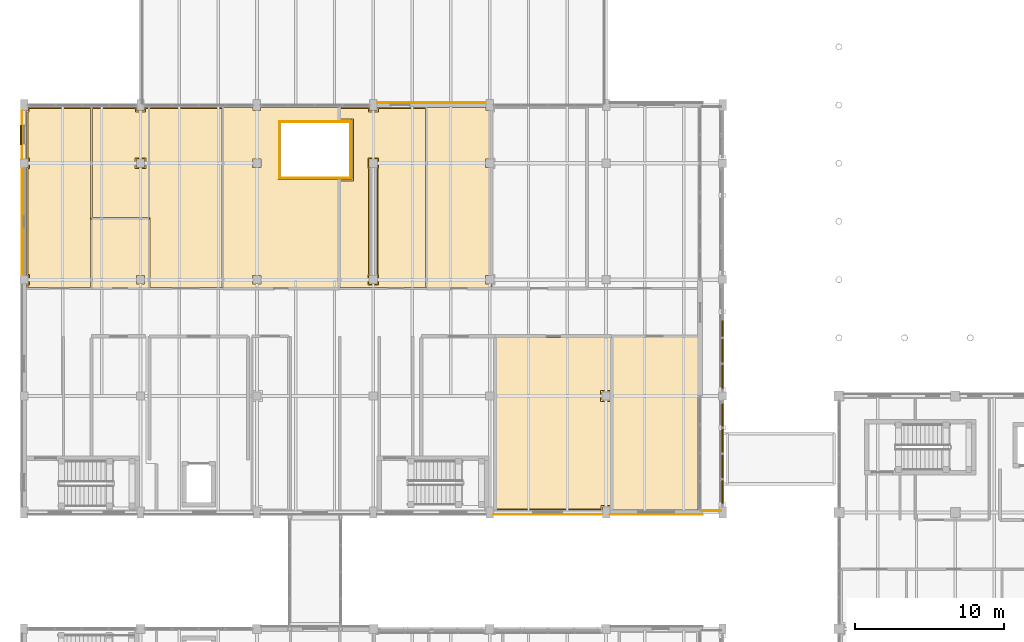
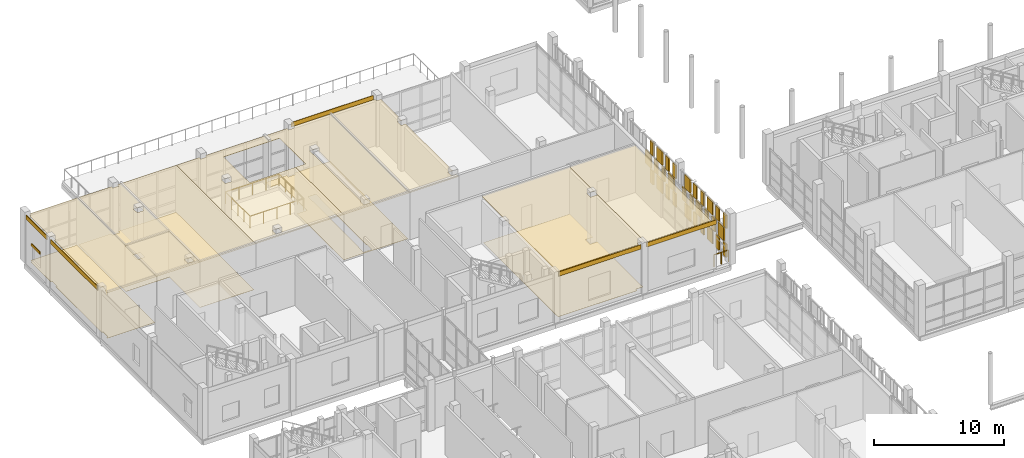
# One storey, part 123 of 138: 47 coverings, 5 railings, 1 shading device.
"""IFC4 building model written with IfcOpenShell, lengths in metres."""

from ifc_helpers import new_model, si_unit, direction, frame, origin, origin_2d, place, context, subcontext, project, spatial, polyline, rectangle, circle, outline, extrude, material, layer, layer_set, type_object, element, save


model = new_model("IFC4")

# Units and contexts
model_context = context("Model", 3, precision=1e-05, world=origin(), true_north=direction((0.0, 1.0)))
body_context = subcontext(model_context, "Body", "Model", "MODEL_VIEW")
ifc_project = project(units=[si_unit("LENGTHUNIT", "METRE"), si_unit("AREAUNIT", "SQUARE_METRE"), si_unit("VOLUMEUNIT", "CUBIC_METRE"), si_unit("PLANEANGLEUNIT", "RADIAN"), si_unit("MASSUNIT", "GRAM", prefix="KILO")], contexts=[model_context])

# Site, building, storey
site_placement = place(None, origin())
site = spatial("IfcSite", under=ifc_project, at=site_placement, CompositionType="ELEMENT")
building_placement = place(site_placement, origin())
building = spatial("IfcBuilding", under=site, at=building_placement, Name="Celorna Specialist Clinic", CompositionType="ELEMENT")
storey_placement = place(building_placement, frame((0.0, 0.0, 4.800048828125)))
storey = spatial("IfcBuildingStorey", under=building, at=storey_placement, Name="L01", CompositionType="ELEMENT", Elevation=4.800048828125)

# Railings
ifc_material_1 = material(Name="Stainless steel and laminated glass balustrade", Category="steel")
railing_type = type_object("IfcRailingType", Name="BL-01", PredefinedType="BALUSTRADE", material=ifc_material_1)
railing_1_placement = place(storey_placement, frame((46.679931640625, 35.219970703125, 0.0)))
element("IfcRailing", 1, at=railing_1_placement, inside=storey, type_object=railing_type, Name="Imaging Cloister Veranda perimeter balustrade 4", PredefinedType="BALUSTRADE", context=body_context, shape_type="SweptSolid", body=[
    extrude(circle(Radius=0.02392578125, at=origin_2d()), frame((0.0, 0.0, 1.09619140625), z_axis=(-1.0, 0.0, 0.0), x_axis=(0.0, -1.0, 0.0)), (0.0, 0.0, 1.0), 1.260009765625),
    extrude(circle(Radius=0.02099609375, at=origin_2d()), origin(), (0.0, 0.0, 1.0), 1.072021484375),
    extrude(circle(Radius=0.02099609375, at=origin_2d()), frame((-0.6298828125, 0.0, 0.0)), (0.0, 0.0, 1.0), 1.072021484375),
    extrude(circle(Radius=0.02099609375, at=origin_2d()), frame((-1.260009765625, 0.0, 0.0)), (0.0, 0.0, 1.0), 1.072021484375),
])
railing_2_placement = place(storey_placement, frame((17.1201171875, 57.52001953125, 0.0)))
element("IfcRailing", 2, at=railing_2_placement, inside=storey, type_object=railing_type, Name="Clinical lightwell balustrade L01 #4-1", PredefinedType="BALUSTRADE", context=body_context, shape_type="SweptSolid", body=[
    extrude(circle(Radius=0.02392578125, at=origin_2d()), frame((0.0, 0.0, 1.09619140625), z_axis=(1.0, 0.0, 0.0), x_axis=(0.0, 1.0, 0.0)), (0.0, 0.0, 1.0), 4.759765625),
    extrude(circle(Radius=0.02099609375, at=origin_2d()), origin(), (0.0, 0.0, 1.0), 1.072021484375),
    extrude(circle(Radius=0.02099609375, at=origin_2d()), frame((1.18994140625, 0.0, 0.0)), (0.0, 0.0, 1.0), 1.072021484375),
    extrude(circle(Radius=0.02099609375, at=origin_2d()), frame((2.3798828125, 0.0, 0.0)), (0.0, 0.0, 1.0), 1.072021484375),
    extrude(circle(Radius=0.02099609375, at=origin_2d()), frame((3.56982421875, 0.0, 0.0)), (0.0, 0.0, 1.0), 1.072021484375),
    extrude(circle(Radius=0.02099609375, at=origin_2d()), frame((4.759765625, 0.0, 0.0)), (0.0, 0.0, 1.0), 1.072021484375),
])
railing_3_placement = place(storey_placement, frame((21.8798828125, 57.52001953125, 0.0)))
element("IfcRailing", 3, at=railing_3_placement, inside=storey, type_object=railing_type, Name="Clinical lightwell balustrade L01 #4-2", PredefinedType="BALUSTRADE", context=body_context, shape_type="SweptSolid", body=[
    extrude(circle(Radius=0.02392578125, at=origin_2d()), frame((0.0, 0.0, 1.09619140625), z_axis=(0.0, 1.0, 0.0), x_axis=(-1.0, 0.0, 0.0)), (0.0, 0.0, 1.0), 3.760009765625),
    extrude(circle(Radius=0.02099609375, at=origin_2d()), origin(), (0.0, 0.0, 1.0), 1.072021484375),
    extrude(circle(Radius=0.02099609375, at=origin_2d()), frame((0.0, 0.93994140625, 0.0)), (0.0, 0.0, 1.0), 1.072021484375),
    extrude(circle(Radius=0.02099609375, at=origin_2d()), frame((0.0, 1.8798828125, 0.0)), (0.0, 0.0, 1.0), 1.072021484375),
    extrude(circle(Radius=0.02099609375, at=origin_2d()), frame((0.0, 2.820068359375, 0.0)), (0.0, 0.0, 1.0), 1.072021484375),
    extrude(circle(Radius=0.02099609375, at=origin_2d()), frame((0.0, 3.760009765625, 0.0)), (0.0, 0.0, 1.0), 1.072021484375),
])
railing_4_placement = place(storey_placement, frame((21.8798828125, 61.280029296875, 0.0)))
element("IfcRailing", 4, at=railing_4_placement, inside=storey, type_object=railing_type, Name="Clinical lightwell balustrade L01 #4-3", PredefinedType="BALUSTRADE", context=body_context, shape_type="SweptSolid", body=[
    extrude(circle(Radius=0.02392578125, at=origin_2d()), frame((0.0, 0.0, 1.09619140625), z_axis=(-1.0, 0.0, 0.0), x_axis=(0.0, -1.0, 0.0)), (0.0, 0.0, 1.0), 4.759765625),
    extrude(circle(Radius=0.02099609375, at=origin_2d()), origin(), (0.0, 0.0, 1.0), 1.072021484375),
    extrude(circle(Radius=0.02099609375, at=origin_2d()), frame((-1.18994140625, 0.0, 0.0)), (0.0, 0.0, 1.0), 1.072021484375),
    extrude(circle(Radius=0.02099609375, at=origin_2d()), frame((-2.3798828125, 0.0, 0.0)), (0.0, 0.0, 1.0), 1.072021484375),
    extrude(circle(Radius=0.02099609375, at=origin_2d()), frame((-3.56982421875, 0.0, 0.0)), (0.0, 0.0, 1.0), 1.072021484375),
    extrude(circle(Radius=0.02099609375, at=origin_2d()), frame((-4.759765625, 0.0, 0.0)), (0.0, 0.0, 1.0), 1.072021484375),
])
railing_5_placement = place(storey_placement, frame((17.1201171875, 61.280029296875, 0.0)))
element("IfcRailing", 5, at=railing_5_placement, inside=storey, type_object=railing_type, Name="Clinical lightwell balustrade L01 #4-4", PredefinedType="BALUSTRADE", context=body_context, shape_type="SweptSolid", body=[
    extrude(circle(Radius=0.02392578125, at=origin_2d()), frame((0.0, 0.0, 1.09619140625), z_axis=(0.0, -1.0, 0.0), x_axis=(1.0, 0.0, 0.0)), (0.0, 0.0, 1.0), 3.760009765625),
    extrude(circle(Radius=0.02099609375, at=origin_2d()), origin(), (0.0, 0.0, 1.0), 1.072021484375),
    extrude(circle(Radius=0.02099609375, at=origin_2d()), frame((0.0, -0.93994140625, 0.0)), (0.0, 0.0, 1.0), 1.072021484375),
    extrude(circle(Radius=0.02099609375, at=origin_2d()), frame((0.0, -1.8798828125, 0.0)), (0.0, 0.0, 1.0), 1.072021484375),
    extrude(circle(Radius=0.02099609375, at=origin_2d()), frame((0.0, -2.820068359375, 0.0)), (0.0, 0.0, 1.0), 1.072021484375),
    extrude(circle(Radius=0.02099609375, at=origin_2d()), frame((0.0, -3.760009765625, 0.0)), (0.0, 0.0, 1.0), 1.072021484375),
])

# Coverings
ifc_material_2 = material(Name="Hygienic acoustic mineral-fibre ceiling")
ifc_layer_1 = layer(ifc_material_2, 0.030029296875, Name="Hygienic acoustic mineral-fibre ceiling")
ifc_layer_set_1 = layer_set([ifc_layer_1], Name="Hygienic acoustic mineral-fibre ceiling")
covering_type_1 = type_object("IfcCoveringType", Name="CE-01", PredefinedType="CEILING", material=ifc_layer_set_1)
covering_1_placement = place(storey_placement, frame((0.0, 0.0, 4.329833984375)))
element("IfcCovering", 6, at=covering_1_placement, inside=storey, type_object=covering_type_1, Name="Acoustic ceiling L01-027", PredefinedType="CEILING", context=body_context, shape_type="SweptSolid", body=[
    extrude(outline(polyline([(39.385009765625, 46.9150390625), (39.385009765625, 43.169921875), (39.280029296875, 43.169921875), (39.280029296875, 43.179931640625), (38.719970703125, 43.179931640625), (38.719970703125, 42.6201171875), (39.280029296875, 42.6201171875), (39.280029296875, 42.6298828125), (39.385009765625, 42.6298828125), (39.385009765625, 35.469970703125), (39.2548828125, 35.469970703125), (39.2548828125, 35.47998046875), (38.7451171875, 35.47998046875), (38.7451171875, 35.2548828125), (31.554931640625, 35.2548828125), (31.554931640625, 46.9150390625), (39.385009765625, 46.9150390625)])), origin(), (0.0, 0.0, 1.0), 0.030029296875),
])
covering_2_placement = place(storey_placement, frame((0.0, 0.0, 4.329833984375)))
element("IfcCovering", 7, at=covering_2_placement, inside=storey, type_object=covering_type_1, Name="Acoustic ceiling L01-028", PredefinedType="CEILING", context=body_context, shape_type="SweptSolid", body=[
    extrude(outline(polyline([(45.14501953125, 46.9150390625), (45.14501953125, 35.2548828125), (39.35498046875, 35.2548828125), (39.35498046875, 46.9150390625), (45.14501953125, 46.9150390625)])), origin(), (0.0, 0.0, 1.0), 0.030029296875),
])
covering_3_placement = place(storey_placement, frame((0.0, 0.0, 4.329833984375)))
element("IfcCovering", 8, at=covering_3_placement, inside=storey, type_object=covering_type_1, Name="Acoustic ceiling L01-029", PredefinedType="CEILING", context=body_context, shape_type="SweptSolid", body=[
    extrude(outline(polyline([(0.155029296875, 58.219970703125), (0.280029296875, 58.219970703125), (0.280029296875, 58.780029296875), (0.155029296875, 58.780029296875), (0.155029296875, 62.02001953125), (0.2548828125, 62.02001953125), (0.2548828125, 62.2451171875), (4.534912109375, 62.2451171875), (4.534912109375, 50.0849609375), (0.155029296875, 50.0849609375), (0.155029296875, 50.419921875), (0.280029296875, 50.419921875), (0.280029296875, 50.97998046875), (0.155029296875, 50.97998046875), (0.155029296875, 58.219970703125)])), origin(), (0.0, 0.0, 1.0), 0.030029296875),
])
covering_4_placement = place(storey_placement, frame((0.0, 0.0, 4.329833984375)))
element("IfcCovering", 9, at=covering_4_placement, inside=storey, type_object=covering_type_1, Name="Acoustic ceiling L01-030", PredefinedType="CEILING", context=body_context, shape_type="SweptSolid", body=[
    extrude(outline(polyline([(8.385009765625, 54.81494140625), (8.385009765625, 50.0849609375), (4.5048828125, 50.0849609375), (4.5048828125, 54.81494140625), (8.385009765625, 54.81494140625)]), holes=[polyline([(8.080078125, 50.419921875), (8.080078125, 50.97998046875), (7.52001953125, 50.97998046875), (7.52001953125, 50.419921875), (8.080078125, 50.419921875)])]), origin(), (0.0, 0.0, 1.0), 0.030029296875),
])
covering_5_placement = place(storey_placement, frame((0.0, 0.0, 4.329833984375)))
element("IfcCovering", 10, at=covering_5_placement, inside=storey, type_object=covering_type_1, Name="Acoustic ceiling L01-031", PredefinedType="CEILING", context=body_context, shape_type="SweptSolid", body=[
    extrude(outline(polyline([(8.35498046875, 54.784912109375), (4.5048828125, 54.784912109375), (4.5048828125, 62.2451171875), (7.544921875, 62.2451171875), (7.544921875, 62.02001953125), (8.054931640625, 62.02001953125), (8.054931640625, 62.2451171875), (13.3349609375, 62.2451171875), (13.3349609375, 50.0849609375), (8.35498046875, 50.0849609375), (8.35498046875, 54.784912109375)]), holes=[polyline([(8.080078125, 58.780029296875), (7.52001953125, 58.780029296875), (7.52001953125, 58.219970703125), (8.080078125, 58.219970703125), (8.080078125, 58.780029296875)])]), origin(), (0.0, 0.0, 1.0), 0.030029296875),
])
covering_6_placement = place(storey_placement, frame((0.0, 0.0, 4.329833984375)))
element("IfcCovering", 11, at=covering_6_placement, inside=storey, type_object=covering_type_1, Name="Acoustic ceiling L01-032", PredefinedType="CEILING", context=body_context, shape_type="SweptSolid", body=[
    extrude(outline(polyline([(13.304931640625, 62.2451171875), (15.344970703125, 62.2451171875), (15.344970703125, 62.02001953125), (15.85498046875, 62.02001953125), (15.85498046875, 62.2451171875), (21.135009765625, 62.2451171875), (21.135009765625, 61.385009765625), (17.014892578125, 61.385009765625), (17.014892578125, 57.4150390625), (21.135009765625, 57.4150390625), (21.135009765625, 50.0849609375), (13.304931640625, 50.0849609375), (13.304931640625, 62.2451171875)]), holes=[polyline([(15.8798828125, 50.97998046875), (15.320068359375, 50.97998046875), (15.320068359375, 50.419921875), (15.8798828125, 50.419921875), (15.8798828125, 50.97998046875)]), polyline([(15.8798828125, 58.219970703125), (15.8798828125, 58.780029296875), (15.320068359375, 58.780029296875), (15.320068359375, 58.219970703125), (15.8798828125, 58.219970703125)])]), origin(), (0.0, 0.0, 1.0), 0.030029296875),
])
covering_7_placement = place(storey_placement, frame((0.0, 0.0, 4.329833984375)))
element("IfcCovering", 12, at=covering_7_placement, inside=storey, type_object=covering_type_1, Name="Acoustic ceiling L01-033", PredefinedType="CEILING", context=body_context, shape_type="SweptSolid", body=[
    extrude(outline(polyline([(26.985107421875, 62.2451171875), (26.985107421875, 50.0849609375), (21.10498046875, 50.0849609375), (21.10498046875, 57.4150390625), (21.985107421875, 57.4150390625), (21.985107421875, 61.385009765625), (21.10498046875, 61.385009765625), (21.10498046875, 62.2451171875), (23.14501953125, 62.2451171875), (23.14501953125, 62.02001953125), (23.655029296875, 62.02001953125), (23.655029296875, 62.2451171875), (26.985107421875, 62.2451171875)]), holes=[polyline([(23.635009765625, 58.219970703125), (23.679931640625, 58.219970703125), (23.679931640625, 58.780029296875), (23.1201171875, 58.780029296875), (23.1201171875, 58.219970703125), (23.1650390625, 58.219970703125), (23.1650390625, 50.97998046875), (23.1201171875, 50.97998046875), (23.1201171875, 50.419921875), (23.679931640625, 50.419921875), (23.679931640625, 50.97998046875), (23.635009765625, 50.97998046875), (23.635009765625, 58.219970703125)])]), origin(), (0.0, 0.0, 1.0), 0.030029296875),
])
covering_8_placement = place(storey_placement, frame((0.0, 0.0, 4.329833984375)))
element("IfcCovering", 13, at=covering_8_placement, inside=storey, type_object=covering_type_1, Name="Acoustic ceiling L01-034", PredefinedType="CEILING", context=body_context, shape_type="SweptSolid", body=[
    extrude(outline(polyline([(30.945068359375, 62.2451171875), (30.945068359375, 62.02001953125), (31.3349609375, 62.02001953125), (31.3349609375, 58.780029296875), (30.919921875, 58.780029296875), (30.919921875, 58.219970703125), (31.3349609375, 58.219970703125), (31.3349609375, 50.97998046875), (30.919921875, 50.97998046875), (30.919921875, 50.419921875), (31.3349609375, 50.419921875), (31.3349609375, 50.0849609375), (26.955078125, 50.0849609375), (26.955078125, 62.2451171875), (30.945068359375, 62.2451171875)])), origin(), (0.0, 0.0, 1.0), 0.030029296875),
])
ifc_material_3 = material(Name="Pero Pinheiro Lioz limestone rainscreen cladding", Category="masonry")
ifc_layer_2 = layer(ifc_material_3, 0.044921875, Name="Pero Pinheiro Lioz limestone rainscreen cladding")
ifc_layer_set_2 = layer_set([ifc_layer_2], Name="Pero Pinheiro Lioz limestone rainscreen cladding")
covering_type_2 = type_object("IfcCoveringType", Name="CL-01", PredefinedType="CLADDING", material=ifc_layer_set_2)
covering_9_placement = place(storey_placement, frame((35.10009765625, 34.952392578125, 4.139892578125), z_axis=(0.0, 0.0, 1.0), x_axis=(-1.0, 0.0, 0.0)))
element("IfcCovering", 14, at=covering_9_placement, inside=storey, type_object=covering_type_2, Name="Lioz spandrel cladding #121", PredefinedType="CLADDING", context=body_context, shape_type="SweptSolid", body=[
    extrude(rectangle(XDim=7.300048828125, YDim=0.044921875, at=origin_2d()), origin(), (0.0, 0.0, 1.0), 0.39990234375),
])
covering_10_placement = place(storey_placement, frame((42.360107421875, 34.952392578125, 4.139892578125), z_axis=(0.0, 0.0, 1.0), x_axis=(-1.0, 0.0, 0.0)))
element("IfcCovering", 15, at=covering_10_placement, inside=storey, type_object=covering_type_2, Name="Lioz spandrel cladding #122", PredefinedType="CLADDING", context=body_context, shape_type="SweptSolid", body=[
    extrude(rectangle(XDim=6.219970703125, YDim=0.044921875, at=origin_2d()), origin(), (0.0, 0.0, 1.0), 0.39990234375),
])
covering_11_placement = place(storey_placement, frame((27.300048828125, 62.547607421875, 4.139892578125), z_axis=(0.0, 0.0, 1.0), x_axis=(1.0, 0.0, 0.0)))
element("IfcCovering", 16, at=covering_11_placement, inside=storey, type_object=covering_type_2, Name="Lioz spandrel cladding #123", PredefinedType="CLADDING", context=body_context, shape_type="SweptSolid", body=[
    extrude(rectangle(XDim=7.300048828125, YDim=0.044921875, at=origin_2d()), origin(), (0.0, 0.0, 1.0), 0.39990234375),
])
covering_12_placement = place(storey_placement, frame((-0.1474609375, 54.60009765625, 4.139892578125), z_axis=(0.0, 0.0, 1.0), x_axis=(0.0, 1.0, 0.0)))
element("IfcCovering", 17, at=covering_12_placement, inside=storey, type_object=covering_type_2, Name="Lioz spandrel cladding #127", PredefinedType="CLADDING", context=body_context, shape_type="SweptSolid", body=[
    extrude(rectangle(XDim=7.25, YDim=0.044921875, at=origin_2d()), origin(), (0.0, 0.0, 1.0), 0.39990234375),
])
covering_13_placement = place(storey_placement, frame((-0.1474609375, 60.39990234375, 4.139892578125), z_axis=(0.0, 0.0, 1.0), x_axis=(0.0, 1.0, 0.0)))
element("IfcCovering", 18, at=covering_13_placement, inside=storey, type_object=covering_type_2, Name="Lioz spandrel cladding #128", PredefinedType="CLADDING", context=body_context, shape_type="SweptSolid", body=[
    extrude(rectangle(XDim=3.25, YDim=0.044921875, at=origin_2d()), origin(), (0.0, 0.0, 1.0), 0.39990234375),
])
ifc_material_4 = material(Name="Perforated terracotta brick weave cladding", Category="masonry")
ifc_layer_3 = layer(ifc_material_4, 0.114990234375, Name="Perforated terracotta brick weave cladding")
ifc_layer_set_3 = layer_set([ifc_layer_3], Name="Perforated terracotta brick weave cladding")
covering_type_3 = type_object("IfcCoveringType", Name="CL-02", PredefinedType="CLADDING", material=ifc_layer_set_3)
for number, where, z_axis, x_axis, name in (
    (19, (46.7900390625, 35.918701171875, 0.10009765625), (0.0, 0.0, 1.0), (0.0, 1.0, 0.0), "Woven perforated terracotta brick course #1256"),
    (20, (46.7900390625, 37.02880859375, 0.10009765625), (0.0, 0.0, 1.0), (0.0, 1.0, 0.0), "Woven perforated terracotta brick course #1257"),
):
    element("IfcCovering", number, at=place(storey_placement, frame(where, z_axis=z_axis, x_axis=x_axis)), inside=storey, type_object=covering_type_3, Name=name, PredefinedType="CLADDING", context=body_context, shape_type="SweptSolid", body=[
        extrude(rectangle(XDim=0.4873046875, YDim=0.114990234375, at=origin_2d()), origin(), (0.0, 0.0, 1.0), 1.24658203125),
    ])
covering_14_placement = place(storey_placement, frame((46.7900390625, 36.473876953125, 1.44677734375), z_axis=(0.0, 0.0, 1.0), x_axis=(0.0, 1.0, 0.0)))
element("IfcCovering", 21, at=covering_14_placement, inside=storey, type_object=covering_type_3, Name="Woven perforated terracotta brick course #1258", PredefinedType="CLADDING", context=body_context, shape_type="SweptSolid", body=[
    extrude(rectangle(XDim=0.862548828125, YDim=0.114990234375, at=origin_2d()), origin(), (0.0, 0.0, 1.0), 1.24658203125),
])
for number, where, z_axis, x_axis, name in (
    (22, (46.7900390625, 35.918701171875, 2.793212890625), (0.0, 0.0, 1.0), (0.0, 1.0, 0.0), "Woven perforated terracotta brick course #1259"),
    (23, (46.7900390625, 37.02880859375, 2.793212890625), (0.0, 0.0, 1.0), (0.0, 1.0, 0.0), "Woven perforated terracotta brick course #1260"),
):
    element("IfcCovering", number, at=place(storey_placement, frame(where, z_axis=z_axis, x_axis=x_axis)), inside=storey, type_object=covering_type_3, Name=name, PredefinedType="CLADDING", context=body_context, shape_type="SweptSolid", body=[
        extrude(rectangle(XDim=0.4873046875, YDim=0.114990234375, at=origin_2d()), origin(), (0.0, 0.0, 1.0), 1.24658203125),
    ])
covering_15_placement = place(storey_placement, frame((46.7900390625, 38.19140625, 0.10009765625), z_axis=(0.0, 0.0, 1.0), x_axis=(0.0, 1.0, 0.0)))
element("IfcCovering", 24, at=covering_15_placement, inside=storey, type_object=covering_type_3, Name="Woven perforated terracotta brick course #1261", PredefinedType="CLADDING", context=body_context, shape_type="SweptSolid", body=[
    extrude(rectangle(XDim=0.862548828125, YDim=0.114990234375, at=origin_2d()), origin(), (0.0, 0.0, 1.0), 1.24658203125),
])
for number, where, z_axis, x_axis, name in (
    (25, (46.7900390625, 37.635986328125, 1.44677734375), (0.0, 0.0, 1.0), (0.0, 1.0, 0.0), "Woven perforated terracotta brick course #1262"),
    (26, (46.7900390625, 38.746337890625, 1.44677734375), (0.0, 0.0, 1.0), (0.0, 1.0, 0.0), "Woven perforated terracotta brick course #1263"),
):
    element("IfcCovering", number, at=place(storey_placement, frame(where, z_axis=z_axis, x_axis=x_axis)), inside=storey, type_object=covering_type_3, Name=name, PredefinedType="CLADDING", context=body_context, shape_type="SweptSolid", body=[
        extrude(rectangle(XDim=0.4873046875, YDim=0.114990234375, at=origin_2d()), origin(), (0.0, 0.0, 1.0), 1.24658203125),
    ])
covering_16_placement = place(storey_placement, frame((46.7900390625, 38.19140625, 2.793212890625), z_axis=(0.0, 0.0, 1.0), x_axis=(0.0, 1.0, 0.0)))
element("IfcCovering", 27, at=covering_16_placement, inside=storey, type_object=covering_type_3, Name="Woven perforated terracotta brick course #1264", PredefinedType="CLADDING", context=body_context, shape_type="SweptSolid", body=[
    extrude(rectangle(XDim=0.862548828125, YDim=0.114990234375, at=origin_2d()), origin(), (0.0, 0.0, 1.0), 1.24658203125),
])
for number, where, z_axis, x_axis, name in (
    (28, (46.7900390625, 39.353515625, 0.10009765625), (0.0, 0.0, 1.0), (0.0, 1.0, 0.0), "Woven perforated terracotta brick course #1265"),
    (29, (46.7900390625, 40.4638671875, 0.10009765625), (0.0, 0.0, 1.0), (0.0, 1.0, 0.0), "Woven perforated terracotta brick course #1266"),
):
    element("IfcCovering", number, at=place(storey_placement, frame(where, z_axis=z_axis, x_axis=x_axis)), inside=storey, type_object=covering_type_3, Name=name, PredefinedType="CLADDING", context=body_context, shape_type="SweptSolid", body=[
        extrude(rectangle(XDim=0.4873046875, YDim=0.114990234375, at=origin_2d()), origin(), (0.0, 0.0, 1.0), 1.24658203125),
    ])
covering_17_placement = place(storey_placement, frame((46.7900390625, 39.90869140625, 1.44677734375), z_axis=(0.0, 0.0, 1.0), x_axis=(0.0, 1.0, 0.0)))
element("IfcCovering", 30, at=covering_17_placement, inside=storey, type_object=covering_type_3, Name="Woven perforated terracotta brick course #1267", PredefinedType="CLADDING", context=body_context, shape_type="SweptSolid", body=[
    extrude(rectangle(XDim=0.862548828125, YDim=0.114990234375, at=origin_2d()), origin(), (0.0, 0.0, 1.0), 1.24658203125),
])
for number, where, z_axis, x_axis, name in (
    (31, (46.7900390625, 39.353515625, 2.793212890625), (0.0, 0.0, 1.0), (0.0, 1.0, 0.0), "Woven perforated terracotta brick course #1268"),
    (32, (46.7900390625, 40.4638671875, 2.793212890625), (0.0, 0.0, 1.0), (0.0, 1.0, 0.0), "Woven perforated terracotta brick course #1269"),
):
    element("IfcCovering", number, at=place(storey_placement, frame(where, z_axis=z_axis, x_axis=x_axis)), inside=storey, type_object=covering_type_3, Name=name, PredefinedType="CLADDING", context=body_context, shape_type="SweptSolid", body=[
        extrude(rectangle(XDim=0.4873046875, YDim=0.114990234375, at=origin_2d()), origin(), (0.0, 0.0, 1.0), 1.24658203125),
    ])
covering_18_placement = place(storey_placement, frame((46.7900390625, 41.626220703125, 0.10009765625), z_axis=(0.0, 0.0, 1.0), x_axis=(0.0, 1.0, 0.0)))
element("IfcCovering", 33, at=covering_18_placement, inside=storey, type_object=covering_type_3, Name="Woven perforated terracotta brick course #1270", PredefinedType="CLADDING", context=body_context, shape_type="SweptSolid", body=[
    extrude(rectangle(XDim=0.862548828125, YDim=0.114990234375, at=origin_2d()), origin(), (0.0, 0.0, 1.0), 1.24658203125),
])
for number, where, z_axis, x_axis, name in (
    (34, (46.7900390625, 41.071044921875, 1.44677734375), (0.0, 0.0, 1.0), (0.0, 1.0, 0.0), "Woven perforated terracotta brick course #1271"),
    (35, (46.7900390625, 42.181396484375, 1.44677734375), (0.0, 0.0, 1.0), (0.0, 1.0, 0.0), "Woven perforated terracotta brick course #1272"),
):
    element("IfcCovering", number, at=place(storey_placement, frame(where, z_axis=z_axis, x_axis=x_axis)), inside=storey, type_object=covering_type_3, Name=name, PredefinedType="CLADDING", context=body_context, shape_type="SweptSolid", body=[
        extrude(rectangle(XDim=0.4873046875, YDim=0.114990234375, at=origin_2d()), origin(), (0.0, 0.0, 1.0), 1.24658203125),
    ])
covering_19_placement = place(storey_placement, frame((46.7900390625, 41.626220703125, 2.793212890625), z_axis=(0.0, 0.0, 1.0), x_axis=(0.0, 1.0, 0.0)))
element("IfcCovering", 36, at=covering_19_placement, inside=storey, type_object=covering_type_3, Name="Woven perforated terracotta brick course #1273", PredefinedType="CLADDING", context=body_context, shape_type="SweptSolid", body=[
    extrude(rectangle(XDim=0.862548828125, YDim=0.114990234375, at=origin_2d()), origin(), (0.0, 0.0, 1.0), 1.24658203125),
])
for number, where, z_axis, x_axis, name in (
    (37, (46.7900390625, 43.62255859375, 0.10009765625), (0.0, 0.0, 1.0), (0.0, 1.0, 0.0), "Woven perforated terracotta brick course #1274"),
    (38, (46.7900390625, 44.75, 0.10009765625), (0.0, 0.0, 1.0), (0.0, 1.0, 0.0), "Woven perforated terracotta brick course #1275"),
):
    element("IfcCovering", number, at=place(storey_placement, frame(where, z_axis=z_axis, x_axis=x_axis)), inside=storey, type_object=covering_type_3, Name=name, PredefinedType="CLADDING", context=body_context, shape_type="SweptSolid", body=[
        extrude(rectangle(XDim=0.494873046875, YDim=0.114990234375, at=origin_2d()), origin(), (0.0, 0.0, 1.0), 1.24658203125),
    ])
covering_20_placement = place(storey_placement, frame((46.7900390625, 44.186279296875, 1.44677734375), z_axis=(0.0, 0.0, 1.0), x_axis=(0.0, 1.0, 0.0)))
element("IfcCovering", 39, at=covering_20_placement, inside=storey, type_object=covering_type_3, Name="Woven perforated terracotta brick course #1276", PredefinedType="CLADDING", context=body_context, shape_type="SweptSolid", body=[
    extrude(rectangle(XDim=0.876220703125, YDim=0.114990234375, at=origin_2d()), origin(), (0.0, 0.0, 1.0), 1.24658203125),
])
for number, where, z_axis, x_axis, name in (
    (40, (46.7900390625, 43.62255859375, 2.793212890625), (0.0, 0.0, 1.0), (0.0, 1.0, 0.0), "Woven perforated terracotta brick course #1277"),
    (41, (46.7900390625, 44.75, 2.793212890625), (0.0, 0.0, 1.0), (0.0, 1.0, 0.0), "Woven perforated terracotta brick course #1278"),
):
    element("IfcCovering", number, at=place(storey_placement, frame(where, z_axis=z_axis, x_axis=x_axis)), inside=storey, type_object=covering_type_3, Name=name, PredefinedType="CLADDING", context=body_context, shape_type="SweptSolid", body=[
        extrude(rectangle(XDim=0.494873046875, YDim=0.114990234375, at=origin_2d()), origin(), (0.0, 0.0, 1.0), 1.24658203125),
    ])
covering_21_placement = place(storey_placement, frame((46.7900390625, 45.9287109375, 0.10009765625), z_axis=(0.0, 0.0, 1.0), x_axis=(0.0, 1.0, 0.0)))
element("IfcCovering", 42, at=covering_21_placement, inside=storey, type_object=covering_type_3, Name="Woven perforated terracotta brick course #1279", PredefinedType="CLADDING", context=body_context, shape_type="SweptSolid", body=[
    extrude(rectangle(XDim=0.876220703125, YDim=0.114990234375, at=origin_2d()), origin(), (0.0, 0.0, 1.0), 1.24658203125),
])
for number, where, z_axis, x_axis, name in (
    (43, (46.7900390625, 45.364990234375, 1.44677734375), (0.0, 0.0, 1.0), (0.0, 1.0, 0.0), "Woven perforated terracotta brick course #1280"),
    (44, (46.7900390625, 46.49267578125, 1.44677734375), (0.0, 0.0, 1.0), (0.0, 1.0, 0.0), "Woven perforated terracotta brick course #1281"),
):
    element("IfcCovering", number, at=place(storey_placement, frame(where, z_axis=z_axis, x_axis=x_axis)), inside=storey, type_object=covering_type_3, Name=name, PredefinedType="CLADDING", context=body_context, shape_type="SweptSolid", body=[
        extrude(rectangle(XDim=0.494873046875, YDim=0.114990234375, at=origin_2d()), origin(), (0.0, 0.0, 1.0), 1.24658203125),
    ])
covering_22_placement = place(storey_placement, frame((46.7900390625, 45.9287109375, 2.793212890625), z_axis=(0.0, 0.0, 1.0), x_axis=(0.0, 1.0, 0.0)))
element("IfcCovering", 45, at=covering_22_placement, inside=storey, type_object=covering_type_3, Name="Woven perforated terracotta brick course #1282", PredefinedType="CLADDING", context=body_context, shape_type="SweptSolid", body=[
    extrude(rectangle(XDim=0.876220703125, YDim=0.114990234375, at=origin_2d()), origin(), (0.0, 0.0, 1.0), 1.24658203125),
])
covering_23_placement = place(storey_placement, frame((46.7900390625, 47.107421875, 0.10009765625), z_axis=(0.0, 0.0, 1.0), x_axis=(0.0, 1.0, 0.0)))
element("IfcCovering", 46, at=covering_23_placement, inside=storey, type_object=covering_type_3, Name="Woven perforated terracotta brick course #1283", PredefinedType="CLADDING", context=body_context, shape_type="SweptSolid", body=[
    extrude(rectangle(XDim=0.494873046875, YDim=0.114990234375, at=origin_2d()), origin(), (0.0, 0.0, 1.0), 1.24658203125),
])
covering_24_placement = place(storey_placement, frame((46.7900390625, 47.67138671875, 1.44677734375), z_axis=(0.0, 0.0, 1.0), x_axis=(0.0, 1.0, 0.0)))
element("IfcCovering", 47, at=covering_24_placement, inside=storey, type_object=covering_type_3, Name="Woven perforated terracotta brick course #1285", PredefinedType="CLADDING", context=body_context, shape_type="SweptSolid", body=[
    extrude(rectangle(XDim=0.876220703125, YDim=0.114990234375, at=origin_2d()), origin(), (0.0, 0.0, 1.0), 1.24658203125),
])
covering_25_placement = place(storey_placement, frame((46.7900390625, 47.107421875, 2.793212890625), z_axis=(0.0, 0.0, 1.0), x_axis=(0.0, 1.0, 0.0)))
element("IfcCovering", 48, at=covering_25_placement, inside=storey, type_object=covering_type_3, Name="Woven perforated terracotta brick course #1286", PredefinedType="CLADDING", context=body_context, shape_type="SweptSolid", body=[
    extrude(rectangle(XDim=0.494873046875, YDim=0.114990234375, at=origin_2d()), origin(), (0.0, 0.0, 1.0), 1.24658203125),
])
ifc_material_5 = material(Name="Seamless antimicrobial clinical vinyl and Lioz terrazzo flooring")
ifc_layer_4 = layer(ifc_material_5, 0.02001953125, Name="Seamless antimicrobial clinical vinyl and Lioz terrazzo flooring")
ifc_layer_set_4 = layer_set([ifc_layer_4], Name="Seamless antimicrobial clinical vinyl and Lioz terrazzo flooring")
covering_type_4 = type_object("IfcCoveringType", Name="FL-01", PredefinedType="FLOORING", material=ifc_layer_set_4)
covering_26_placement = place(storey_placement, origin())
element("IfcCovering", 49, at=covering_26_placement, inside=storey, type_object=covering_type_4, Name="Antimicrobial clinical flooring L01-027", PredefinedType="FLOORING", context=body_context, shape_type="SweptSolid", body=[
    extrude(outline(polyline([(31.64501953125, 46.824951171875), (39.294921875, 46.824951171875), (39.294921875, 43.260009765625), (38.639892578125, 43.260009765625), (38.639892578125, 42.5400390625), (39.294921875, 42.5400390625), (39.294921875, 35.56005859375), (38.6650390625, 35.56005859375), (38.6650390625, 35.344970703125), (31.64501953125, 35.344970703125), (31.64501953125, 46.824951171875)])), origin(), (0.0, 0.0, 1.0), 0.02001953125),
])
covering_27_placement = place(storey_placement, origin())
element("IfcCovering", 50, at=covering_27_placement, inside=storey, type_object=covering_type_4, Name="Antimicrobial clinical flooring L01-029", PredefinedType="FLOORING", context=body_context, shape_type="SweptSolid", body=[
    extrude(outline(polyline([(0.2451171875, 50.340087890625), (0.360107421875, 50.340087890625), (0.360107421875, 51.06005859375), (0.2451171875, 51.06005859375), (0.2451171875, 58.139892578125), (0.360107421875, 58.139892578125), (0.360107421875, 58.860107421875), (0.2451171875, 58.860107421875), (0.2451171875, 61.93994140625), (0.3349609375, 61.93994140625), (0.3349609375, 62.155029296875), (4.445068359375, 62.155029296875), (4.445068359375, 50.175048828125), (0.2451171875, 50.175048828125), (0.2451171875, 50.340087890625)])), origin(), (0.0, 0.0, 1.0), 0.02001953125),
])
covering_28_placement = place(storey_placement, origin())
element("IfcCovering", 51, at=covering_28_placement, inside=storey, type_object=covering_type_4, Name="Antimicrobial clinical flooring L01-031", PredefinedType="FLOORING", context=body_context, shape_type="SweptSolid", body=[
    extrude(outline(polyline([(8.445068359375, 50.175048828125), (8.445068359375, 54.875), (4.594970703125, 54.875), (4.594970703125, 62.155029296875), (7.465087890625, 62.155029296875), (7.465087890625, 61.93994140625), (8.135009765625, 61.93994140625), (8.135009765625, 62.155029296875), (13.2451171875, 62.155029296875), (13.2451171875, 50.175048828125), (8.445068359375, 50.175048828125)]), holes=[polyline([(8.159912109375, 58.860107421875), (7.43994140625, 58.860107421875), (7.43994140625, 58.139892578125), (8.159912109375, 58.139892578125), (8.159912109375, 58.860107421875)])]), origin(), (0.0, 0.0, 1.0), 0.02001953125),
])
covering_29_placement = place(storey_placement, origin())
element("IfcCovering", 52, at=covering_29_placement, inside=storey, type_object=covering_type_4, Name="Antimicrobial clinical flooring L01-033", PredefinedType="FLOORING", context=body_context, shape_type="SweptSolid", body=[
    extrude(outline(polyline([(23.06494140625, 62.155029296875), (23.06494140625, 61.93994140625), (23.735107421875, 61.93994140625), (23.735107421875, 62.155029296875), (26.89501953125, 62.155029296875), (26.89501953125, 50.175048828125), (21.195068359375, 50.175048828125), (21.195068359375, 57.324951171875), (22.074951171875, 57.324951171875), (22.074951171875, 61.47509765625), (21.195068359375, 61.47509765625), (21.195068359375, 62.155029296875), (23.06494140625, 62.155029296875)]), holes=[polyline([(23.074951171875, 51.06005859375), (23.0400390625, 51.06005859375), (23.0400390625, 50.340087890625), (23.760009765625, 50.340087890625), (23.760009765625, 51.06005859375), (23.72509765625, 51.06005859375), (23.72509765625, 58.139892578125), (23.760009765625, 58.139892578125), (23.760009765625, 58.860107421875), (23.0400390625, 58.860107421875), (23.0400390625, 58.139892578125), (23.074951171875, 58.139892578125), (23.074951171875, 51.06005859375)])]), origin(), (0.0, 0.0, 1.0), 0.02001953125),
])

# Shading device
ifc_material_6 = material(Name="Anodized aluminium solar louvre", Category="aluminium")
ifc_layer_5 = layer(ifc_material_6, 0.080078125, Name="Anodized aluminium solar louvre")
ifc_layer_set_5 = layer_set([ifc_layer_5], Name="Anodized aluminium solar louvre")
shading_device_type = type_object("IfcShadingDeviceType", Name="LV-01", PredefinedType="JALOUSIE", material=ifc_layer_set_5)
shading_device_placement = place(storey_placement, frame((-0.2099609375, 60.39990234375, 2.23974609375), z_axis=(0.0, 0.0, 1.0), x_axis=(0.0, 1.0, 0.0)))
element("IfcShadingDevice", 53, at=shading_device_placement, inside=storey, type_object=shading_device_type, Name="External solar louvre LV-01 #38", PredefinedType="JALOUSIE", context=body_context, shape_type="SweptSolid", body=[
    extrude(rectangle(XDim=1.300048828125, YDim=0.080078125, at=origin_2d()), origin(), (0.0, 0.0, 1.0), 0.219970703125),
])

save(model, "model.ifc")
